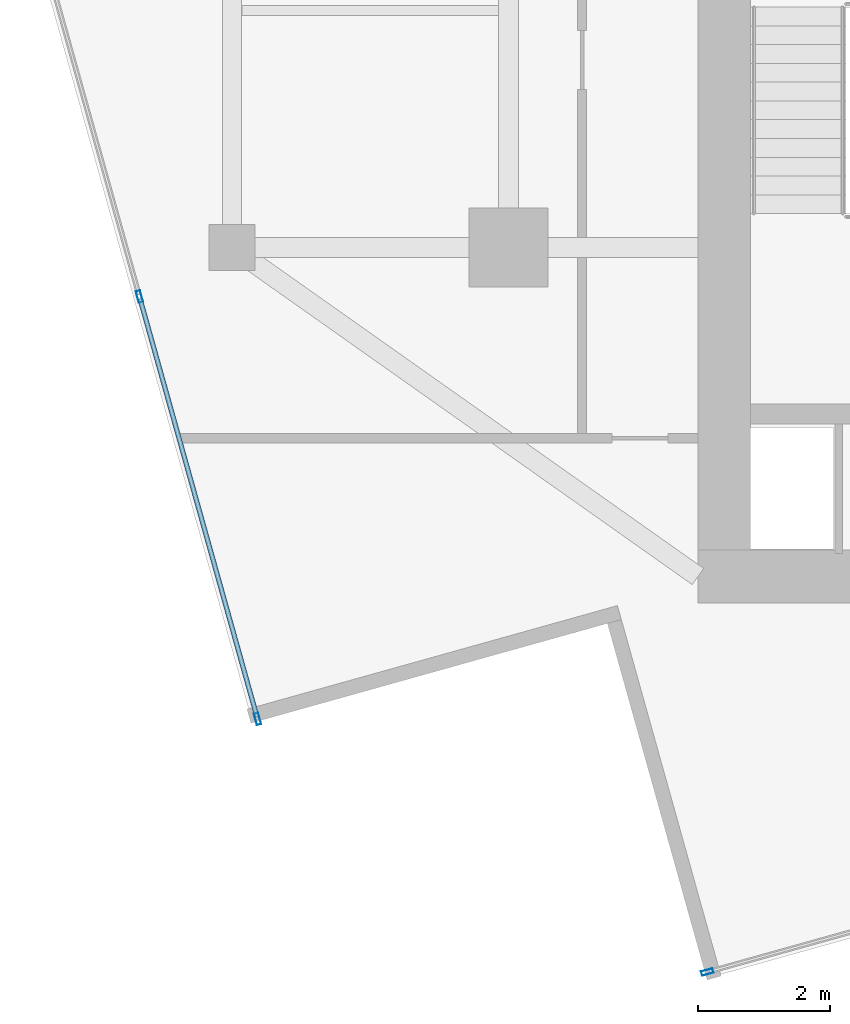
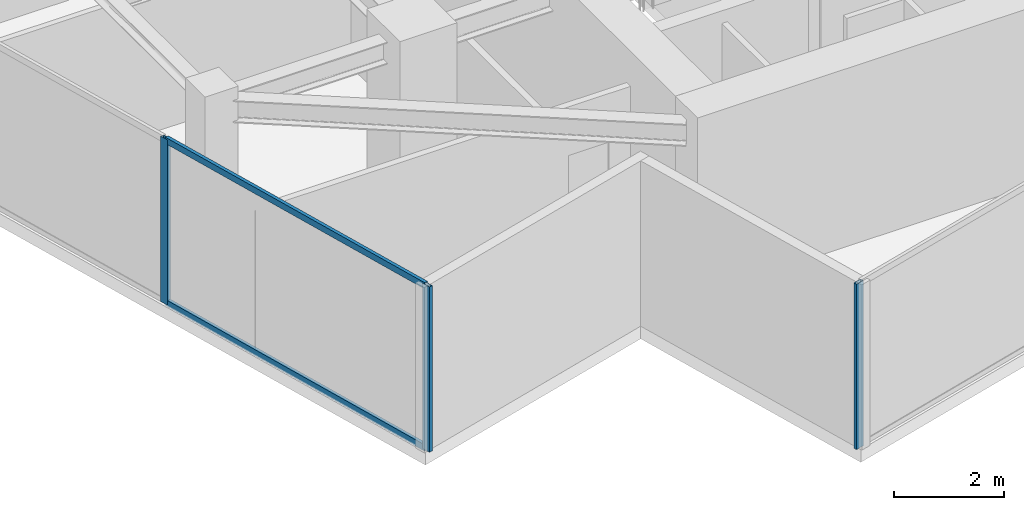
# One storey, part 2 of 20: 5 members, 2 elements without a shape of their own.
"""IFC4 building model written with IfcOpenShell, lengths in metres."""

from ifc_helpers import new_model, si_unit, direction, frame, origin, origin_2d, place, context, subcontext, project, spatial, hollow_rectangle, extrude, source, transform, mapped, material, material_profile, profile_set, type_object, type_shapes, element, aggregate, save


model = new_model("IFC4")

# Units and contexts
model_context = context("Model", 3, precision=1e-05, world=origin(), true_north=direction((0.0, 1.0)))
body_context = subcontext(model_context, "Body", "Model", "MODEL_VIEW")
ifc_project = project(units=[si_unit("LENGTHUNIT", "METRE"), si_unit("AREAUNIT", "SQUARE_METRE"), si_unit("VOLUMEUNIT", "CUBIC_METRE"), si_unit("PLANEANGLEUNIT", "RADIAN"), si_unit("MASSUNIT", "GRAM", prefix="KILO")], contexts=[model_context])

# Site, building, storey
site_placement = place(None, origin())
site = spatial("IfcSite", under=ifc_project, at=site_placement, CompositionType="ELEMENT")
building_placement = place(site_placement, origin())
building = spatial("IfcBuilding", under=site, at=building_placement, Name="Krantzveldt Concourse Tower", CompositionType="ELEMENT")
storey_placement = place(building_placement, frame((0.0, 0.0, 351.39990234375)))
storey = spatial("IfcBuildingStorey", under=building, at=storey_placement, Name="L86", CompositionType="ELEMENT", Elevation=351.39990234375)

# Curtain wall, members
ifc_material = material(Name="Anodised aluminium 6063-T6", Category="aluminium")
curtain_wall_type = type_object("IfcCurtainWallType", Name="CW4", PredefinedType="USERDEFINED", material=ifc_material)
curtain_wall_1_placement = place(storey_placement, origin())
curtain_wall_1 = element("IfcCurtainWall", 1, at=curtain_wall_1_placement, inside=storey, type_object=curtain_wall_type, Name="CW-L86-F04", ObjectType="UNITISED CURTAIN WALL", PredefinedType="USERDEFINED")
ifc_material_profile_1 = material_profile(ifc_material, hollow_rectangle(XDim=0.070068359375, YDim=0.179931640625, WallThickness=0.0048828125, at=origin_2d()), Name="Anodised aluminium 6063-T6", Category="aluminium")
ifc_profile_set_1 = profile_set([ifc_material_profile_1], Name="Anodised aluminium 6063-T6 - ALU-MULL 180x70x5")
member_type_1 = type_object("IfcMemberType", Name="CW-MUL-180", PredefinedType="MULLION", material=ifc_profile_set_1)
shared_shape_1 = source(origin(), body_context, "Body", "SweptSolid", [
    extrude(hollow_rectangle(XDim=0.070068359375, YDim=0.179931640625, WallThickness=0.0048828125, at=origin_2d()), origin(), (0.0, 0.0, 1.0), 3.670166015625),
])
type_shapes(member_type_1, [shared_shape_1])
member_1_placement = place(storey_placement, frame((19.593505859375, 15.154296875, 0.0), z_axis=(0.0, 0.0, 1.0), x_axis=(0.963045170968, 0.269339931454, 0.0)))
member_1 = element("IfcMember", 2, at=member_1_placement, type_object=member_type_1, Name="CW-Z56 mullion 4", PredefinedType="MULLION", context=body_context, shape_type="MappedRepresentation", body=[
    mapped(shared_shape_1, transform((0.0, 0.0, 0.0), x_axis=(1.0, 0.0, 0.0), y_axis=(0.0, 1.0, 0.0), z_axis=(0.0, 0.0, 1.0), scale=1.0)),
])
member_2_placement = place(storey_placement, frame((21.388427734375, 8.735595703125, 0.0), z_axis=(0.0, 0.0, 1.0), x_axis=(0.963045170968, 0.269339931454, 0.0)))
member_2 = element("IfcMember", 3, at=member_2_placement, type_object=member_type_1, Name="CW-Z56 mullion 5", PredefinedType="MULLION", context=body_context, shape_type="MappedRepresentation", body=[
    mapped(shared_shape_1, transform((0.0, 0.0, 0.0), x_axis=(1.0, 0.0, 0.0), y_axis=(0.0, 1.0, 0.0), z_axis=(0.0, 0.0, 1.0), scale=1.0)),
])

# Curtain wall, member
curtain_wall_2_placement = place(storey_placement, origin())
curtain_wall_2 = element("IfcCurtainWall", 4, at=curtain_wall_2_placement, inside=storey, type_object=curtain_wall_type, Name="CW-L86-F07", ObjectType="UNITISED CURTAIN WALL", PredefinedType="USERDEFINED")
member_3_placement = place(storey_placement, frame((28.22216796875, 4.88916015625, 0.0), z_axis=(0.0, 0.0, 1.0), x_axis=(-0.269339931454, 0.963045170968, 0.0)))
member_3 = element("IfcMember", 5, at=member_3_placement, type_object=member_type_1, Name="CW-Z56 mullion 1", PredefinedType="MULLION", context=body_context, shape_type="MappedRepresentation", body=[
    mapped(shared_shape_1, transform((0.0, 0.0, 0.0), x_axis=(1.0, 0.0, 0.0), y_axis=(0.0, 1.0, 0.0), z_axis=(0.0, 0.0, 1.0), scale=1.0)),
])
aggregate(curtain_wall_2, [member_3])

# Member
ifc_material_profile_2 = material_profile(ifc_material, hollow_rectangle(XDim=0.070068359375, YDim=0.139892578125, WallThickness=0.0048828125, at=origin_2d()), Name="Anodised aluminium 6063-T6", Category="aluminium")
ifc_profile_set_2 = profile_set([ifc_material_profile_2], Name="Anodised aluminium 6063-T6 - ALU-TRAN 140x70x5")
member_type_2 = type_object("IfcMemberType", Name="CW-TRN-150", PredefinedType="USERDEFINED", material=ifc_profile_set_2)
shared_shape_2 = source(origin(), body_context, "Body", "SweptSolid", [
    extrude(hollow_rectangle(XDim=0.070068359375, YDim=0.139892578125, WallThickness=0.0048828125, at=origin_2d()), origin(), (0.0, 0.0, 1.0), 6.594970703125),
])
type_shapes(member_type_2, [shared_shape_2])
member_4_placement = place(storey_placement, frame((19.602783203125, 15.12060546875, 0.03515625), z_axis=(0.269348428694, -0.963042794459, 0.0), x_axis=(0.963042794459, 0.269348428694, 0.0)))
member_4 = element("IfcMember", 6, at=member_4_placement, type_object=member_type_2, Name="CW-Z56 transom 4.1", ObjectType="TRANSOM", PredefinedType="USERDEFINED", context=body_context, shape_type="MappedRepresentation", body=[
    mapped(shared_shape_2, transform((0.0, 0.0, 0.0), x_axis=(1.0, 0.0, 0.0), y_axis=(0.0, 1.0, 0.0), z_axis=(0.0, 0.0, 1.0), scale=1.0)),
])

member_5_placement = place(storey_placement, frame((19.602783203125, 15.12060546875, 3.635009765625), z_axis=(0.269348428694, -0.963042794459, 0.0), x_axis=(0.963042794459, 0.269348428694, 0.0)))
member_5 = element("IfcMember", 7, at=member_5_placement, type_object=member_type_2, Name="CW-Z56 transom 4.2", ObjectType="TRANSOM", PredefinedType="USERDEFINED", context=body_context, shape_type="MappedRepresentation", body=[
    mapped(shared_shape_2, transform((0.0, 0.0, 0.0), x_axis=(1.0, 0.0, 0.0), y_axis=(0.0, 1.0, 0.0), z_axis=(0.0, 0.0, 1.0), scale=1.0)),
])

aggregate(curtain_wall_1, [member_1, member_2, member_4, member_5])

save(model, "model.ifc")
